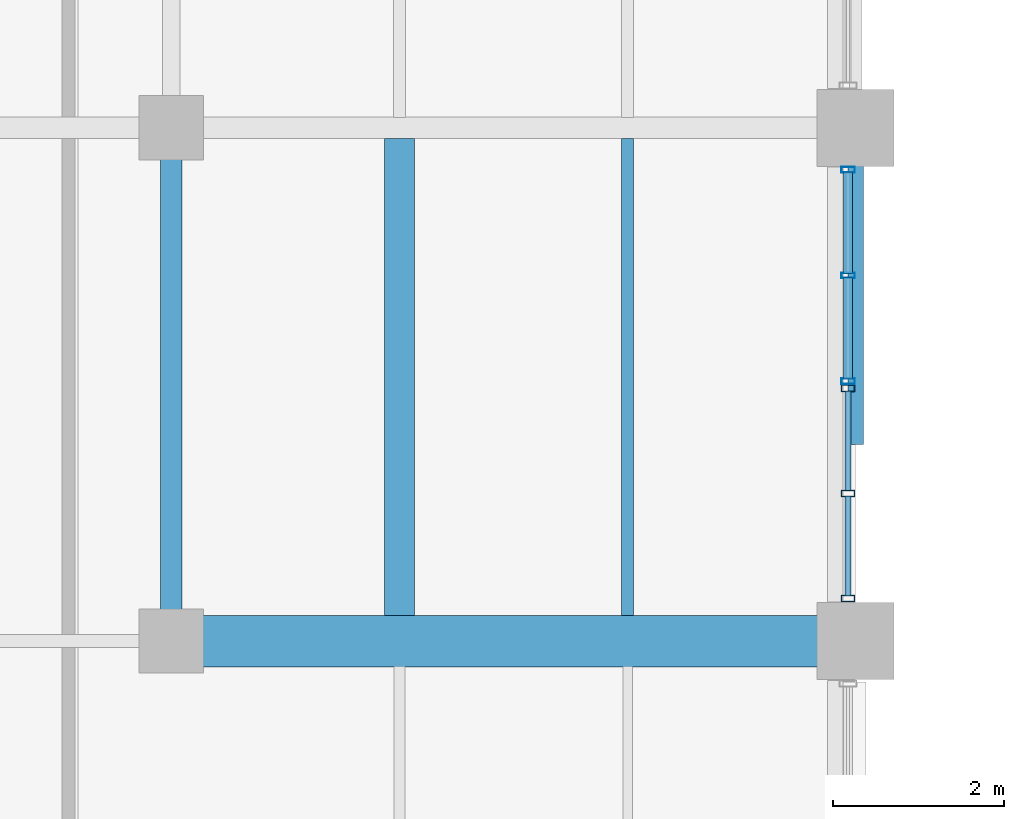
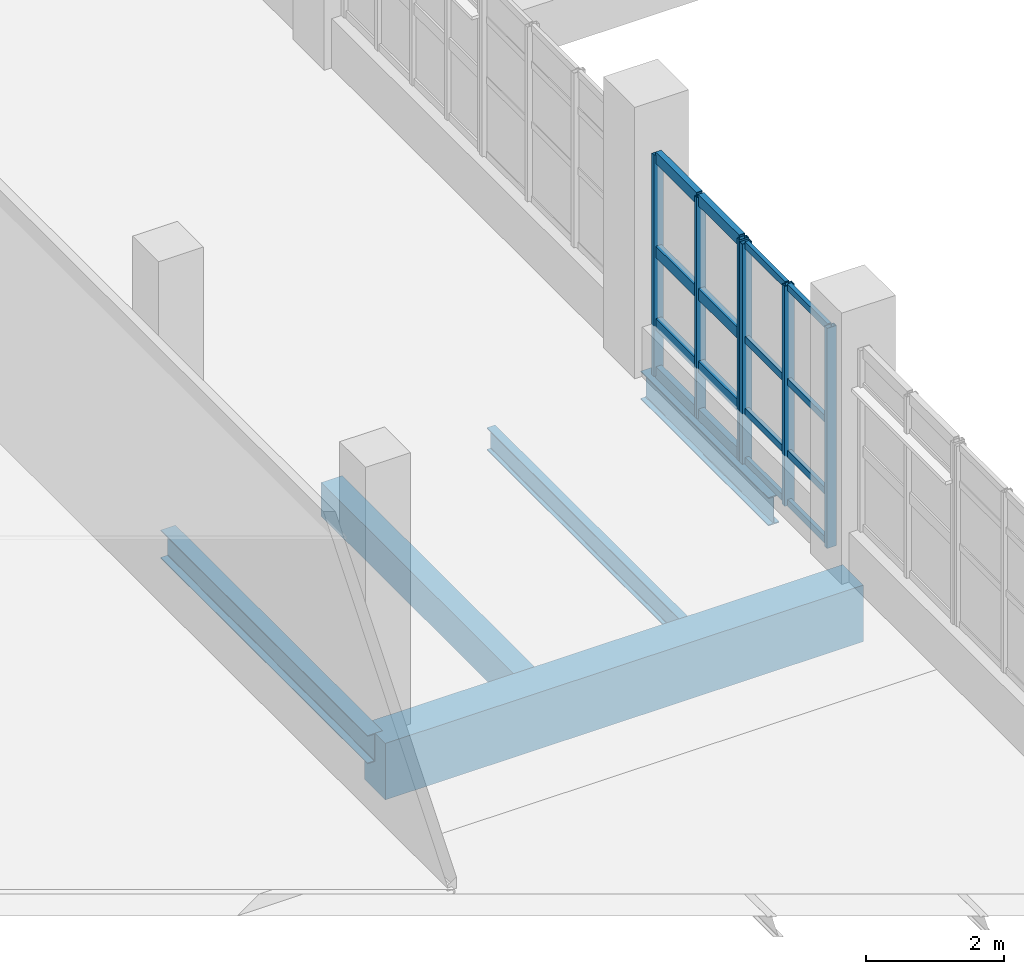
# One storey, part 23 of 102: 22 members, 5 beams, 2 elements without a shape of their own.
"""IFC4 building model written with IfcOpenShell, lengths in metres."""

from ifc_helpers import new_model, si_unit, derived_unit, direction, frame, origin, origin_2d, place, context, subcontext, project, spatial, rectangle, hollow_rectangle, i_section, extrude, material, layer, layer_set, material_profile, profile_set, type_object, element, aggregate, save


model = new_model("IFC4")

# Units and contexts
model_context = context("Model", 3, precision=1e-05, world=origin(), true_north=direction((0.0, 1.0)))
body_context = subcontext(model_context, "Body", "Model", "MODEL_VIEW")
ifc_project = project(units=[si_unit("LENGTHUNIT", "METRE"), si_unit("AREAUNIT", "SQUARE_METRE"), si_unit("VOLUMEUNIT", "CUBIC_METRE"), si_unit("PLANEANGLEUNIT", "RADIAN"), si_unit("MASSUNIT", "GRAM", prefix="KILO"), derived_unit("THERMALTRANSMITTANCEUNIT", [(si_unit("POWERUNIT", "WATT"), 1), (si_unit("LENGTHUNIT", "METRE"), -2), (si_unit("THERMODYNAMICTEMPERATUREUNIT", "KELVIN"), -1)])], contexts=[model_context])

# Site, building, storey
site_placement = place(None, origin())
site = spatial("IfcSite", under=ifc_project, at=site_placement, CompositionType="ELEMENT")
building_placement = place(site_placement, origin())
building = spatial("IfcBuilding", under=site, at=building_placement, Name="Nallur Shell Playhouse", CompositionType="ELEMENT")
storey_placement = place(building_placement, frame((0.0, 0.0, 15.0)))
storey = spatial("IfcBuildingStorey", under=building, at=storey_placement, Name="L04", CompositionType="ELEMENT", Elevation=15.0)

# Beams
ifc_material_1 = material(Name="Steel E250", Category="steel")
ifc_material_profile_1 = material_profile(ifc_material_1, i_section(OverallWidth=0.139892578125, OverallDepth=0.39990234375, WebThickness=0.0087890625, FlangeThickness=0.01611328125, FilletRadius=0.013916015625, at=origin_2d()), Name="ISMB 400")
ifc_profile_set_1 = profile_set([ifc_material_profile_1], Name="Steel E250")
beam_type_1 = type_object("IfcBeamType", Name="BM-JST-ISMB400", PredefinedType="JOIST", material=ifc_profile_set_1)
beam_1_placement = place(storey_placement, frame((37.333251953125, 50.298095703125, -0.4599609375), z_axis=(0.0, 1.0, 0.0), x_axis=(-1.0, 0.0, 0.0)))
element("IfcBeam", 1, at=beam_1_placement, inside=storey, type_object=beam_type_1, Name="L04 secondary joist 4-F-895", PredefinedType="JOIST", context=body_context, shape_type="SweptSolid", body=[
    extrude(i_section(OverallWidth=0.139892578125, OverallDepth=0.39990234375, WebThickness=0.0087890625, FlangeThickness=0.01611328125, FilletRadius=0.013916015625, at=origin_2d()), origin(), (0.0, 0.0, 1.0), 5.578857421875),
])
ifc_material_2 = material(Name="Concrete M30", Category="concrete")
ifc_material_profile_2 = material_profile(ifc_material_2, rectangle(XDim=0.35009765625, YDim=0.60009765625, at=origin_2d()), Name="RC 350x600")
ifc_profile_set_2 = profile_set([ifc_material_profile_2], Name="Concrete M30")
beam_type_2 = type_object("IfcBeamType", Name="BM-RC-350x600", PredefinedType="JOIST", material=ifc_profile_set_2)
beam_2_placement = place(storey_placement, frame((34.666748046875, 50.298095703125, -0.56005859375), z_axis=(0.0, 1.0, 0.0), x_axis=(-1.0, 0.0, 0.0)))
element("IfcBeam", 2, at=beam_2_placement, inside=storey, type_object=beam_type_2, Name="L04 secondary joist 4-F-894", PredefinedType="JOIST", context=body_context, shape_type="SweptSolid", body=[
    extrude(rectangle(XDim=0.35009765625, YDim=0.60009765625, at=origin_2d()), origin(), (0.0, 0.0, 1.0), 5.578857421875),
])
ifc_material_3 = material(Name="Concrete M40", Category="concrete")
ifc_material_profile_3 = material_profile(ifc_material_3, rectangle(XDim=0.60009765625, YDim=1.0, at=origin_2d()), Name="RC 600x1000")
ifc_profile_set_3 = profile_set([ifc_material_profile_3], Name="Concrete M40")
beam_type_3 = type_object("IfcBeamType", Name="BM-RC-600x1000", PredefinedType="BEAM", material=ifc_profile_set_3)
beam_3_placement = place(storey_placement, frame((32.0, 50.0, -0.760009765625), z_axis=(1.0, 0.0, 0.0), x_axis=(0.0, 1.0, 0.0)))
element("IfcBeam", 3, at=beam_3_placement, inside=storey, type_object=beam_type_3, Name="L04 girder X-F-780", PredefinedType="BEAM", context=body_context, shape_type="SweptSolid", body=[
    extrude(rectangle(XDim=0.60009765625, YDim=1.0, at=origin_2d()), origin(), (0.0, 0.0, 1.0), 8.0),
])
ifc_material_4 = material(Name="Steel E350", Category="steel")
ifc_material_profile_4 = material_profile(ifc_material_4, i_section(OverallWidth=0.179931640625, OverallDepth=0.5, WebThickness=0.01025390625, FlangeThickness=0.01708984375, FilletRadius=0.01708984375, at=origin_2d()), Name="ISMB 500")
ifc_profile_set_4 = profile_set([ifc_material_profile_4], Name="Steel E350")
beam_type_4 = type_object("IfcBeamType", Name="BM-ST-ISMB500", PredefinedType="BEAM", material=ifc_profile_set_4)
beam_4_placement = place(storey_placement, frame((40.0, 52.300048828125, -0.510009765625), z_axis=(0.0, 1.0, 0.0), x_axis=(-1.0, 0.0, 0.0)))
element("IfcBeam", 4, at=beam_4_placement, inside=storey, type_object=beam_type_4, Name="L04 girder Y-5-826", PredefinedType="BEAM", context=body_context, shape_type="SweptSolid", body=[
    extrude(i_section(OverallWidth=0.179931640625, OverallDepth=0.5, WebThickness=0.01025390625, FlangeThickness=0.01708984375, FilletRadius=0.01708984375, at=origin_2d()), origin(), (0.0, 0.0, 1.0), 3.699951171875),
])
ifc_material_profile_5 = material_profile(ifc_material_4, i_section(OverallWidth=0.25, OverallDepth=0.5, WebThickness=0.010009765625, FlangeThickness=0.0146484375, FilletRadius=0.014892578125, at=origin_2d()), Name="ISWB 500")
ifc_profile_set_5 = profile_set([ifc_material_profile_5], Name="Steel E350")
beam_type_5 = type_object("IfcBeamType", Name="BM-ST-ISWB500", PredefinedType="BEAM", material=ifc_profile_set_5)
beam_5_placement = place(storey_placement, frame((32.0, 50.0, -0.510009765625), z_axis=(0.0, 1.0, 0.0), x_axis=(-1.0, 0.0, 0.0)))
element("IfcBeam", 5, at=beam_5_placement, inside=storey, type_object=beam_type_5, Name="L04 girder Y-4-819", PredefinedType="BEAM", context=body_context, shape_type="SweptSolid", body=[
    extrude(i_section(OverallWidth=0.25, OverallDepth=0.5, WebThickness=0.010009765625, FlangeThickness=0.0146484375, FilletRadius=0.014892578125, at=origin_2d()), origin(), (0.0, 0.0, 1.0), 6.0),
])

# Curtain wall, members
ifc_material_5 = material(Name="Anodised Aluminium Double-Glazed Facade System", Category="aluminium")
ifc_layer_1 = layer(ifc_material_5, 0.172119140625)
ifc_layer_set_1 = layer_set([ifc_layer_1], Name="Anodised Aluminium Double-Glazed Facade System")
curtain_wall_type_1 = type_object("IfcCurtainWallType", Name="CW-UNIT-15", PredefinedType="NOTDEFINED", material=ifc_layer_set_1)
curtain_wall_1_placement = place(storey_placement, origin())
curtain_wall_1 = element("IfcCurtainWall", 6, at=curtain_wall_1_placement, inside=storey, type_object=curtain_wall_type_1, Name="Unitised curtain wall CW-143 (L04)", PredefinedType="NOTDEFINED")
ifc_material_6 = material(Name="Aluminium Alloy 6063-T6 Mullion", Category="aluminium")
ifc_material_profile_6 = material_profile(ifc_material_6, hollow_rectangle(XDim=0.080078125, YDim=0.159912109375, WallThickness=0.006103515625, at=origin_2d()), Name="RHS 160x80x6")
ifc_profile_set_6 = profile_set([ifc_material_profile_6], Name="Aluminium Alloy 6063-T6 Mullion")
member_type_1 = type_object("IfcMemberType", Name="MB-CW-MUL150", PredefinedType="MULLION", material=ifc_profile_set_6)
member_1_placement = place(storey_placement, frame((39.909912109375, 52.955078125, -0.014892578125), z_axis=(0.0, 0.0, 1.0), x_axis=(0.0, -1.0, 0.0)))
member_1 = element("IfcMember", 7, at=member_1_placement, type_object=member_type_1, Name="CW-15 mullion 1", PredefinedType="MULLION", context=body_context, shape_type="SweptSolid", body=[
    extrude(hollow_rectangle(XDim=0.080078125, YDim=0.159912109375, WallThickness=0.006103515625, at=origin_2d()), origin(), (0.0, 0.0, 1.0), 3.893798828125),
])
member_2_placement = place(storey_placement, frame((39.909912109375, 51.7265625, -0.014892578125), z_axis=(0.0, 0.0, 1.0), x_axis=(0.0, -1.0, 0.0)))
member_2 = element("IfcMember", 8, at=member_2_placement, type_object=member_type_1, Name="CW-15 mullion 2", PredefinedType="MULLION", context=body_context, shape_type="SweptSolid", body=[
    extrude(hollow_rectangle(XDim=0.080078125, YDim=0.159912109375, WallThickness=0.006103515625, at=origin_2d()), origin(), (0.0, 0.0, 1.0), 3.893798828125),
])
member_3_placement = place(storey_placement, frame((39.909912109375, 50.498046875, -0.014892578125), z_axis=(0.0, 0.0, 1.0), x_axis=(0.0, -1.0, 0.0)))
member_3 = element("IfcMember", 9, at=member_3_placement, type_object=member_type_1, Name="CW-15 mullion 3", PredefinedType="MULLION", context=body_context, shape_type="SweptSolid", body=[
    extrude(hollow_rectangle(XDim=0.080078125, YDim=0.159912109375, WallThickness=0.006103515625, at=origin_2d()), origin(), (0.0, 0.0, 1.0), 3.893798828125),
])

ifc_layer_2 = layer(ifc_material_5, 0.16796875)
ifc_layer_set_2 = layer_set([ifc_layer_2], Name="Anodised Aluminium Double-Glazed Facade System")
curtain_wall_type_2 = type_object("IfcCurtainWallType", Name="CW-UNIT-14", PredefinedType="NOTDEFINED", material=ifc_layer_set_2)
curtain_wall_2_placement = place(storey_placement, origin())
curtain_wall_2 = element("IfcCurtainWall", 10, at=curtain_wall_2_placement, inside=storey, type_object=curtain_wall_type_2, Name="Unitised curtain wall CW-142 (L04)", PredefinedType="NOTDEFINED")
ifc_material_profile_7 = material_profile(ifc_material_6, hollow_rectangle(XDim=0.06494140625, YDim=0.159912109375, WallThickness=0.00390625, at=origin_2d()), Name="ALU 65x160x4")
ifc_profile_set_7 = profile_set([ifc_material_profile_7], Name="Aluminium Alloy 6063-T6 Mullion")
member_type_2 = type_object("IfcMemberType", Name="MB-CW-MUL160", PredefinedType="MULLION", material=ifc_profile_set_7)
member_4_placement = place(storey_placement, frame((39.909912109375, 55.509521484375, -0.014892578125), z_axis=(0.0, 0.0, 1.0), x_axis=(0.0, -1.0, 0.0)))
member_4 = element("IfcMember", 11, at=member_4_placement, type_object=member_type_2, Name="CW-14 mullion 1", PredefinedType="MULLION", context=body_context, shape_type="SweptSolid", body=[
    extrude(hollow_rectangle(XDim=0.06494140625, YDim=0.159912109375, WallThickness=0.00390625, at=origin_2d()), origin(), (0.0, 0.0, 1.0), 3.913818359375),
])
member_5_placement = place(storey_placement, frame((39.909912109375, 54.2734375, -0.014892578125), z_axis=(0.0, 0.0, 1.0), x_axis=(0.0, -1.0, 0.0)))
member_5 = element("IfcMember", 12, at=member_5_placement, type_object=member_type_2, Name="CW-14 mullion 2", PredefinedType="MULLION", context=body_context, shape_type="SweptSolid", body=[
    extrude(hollow_rectangle(XDim=0.06494140625, YDim=0.159912109375, WallThickness=0.00390625, at=origin_2d()), origin(), (0.0, 0.0, 1.0), 3.913818359375),
])
member_6_placement = place(storey_placement, frame((39.909912109375, 53.03759765625, -0.014892578125), z_axis=(0.0, 0.0, 1.0), x_axis=(0.0, -1.0, 0.0)))
member_6 = element("IfcMember", 13, at=member_6_placement, type_object=member_type_2, Name="CW-14 mullion 3", PredefinedType="MULLION", context=body_context, shape_type="SweptSolid", body=[
    extrude(hollow_rectangle(XDim=0.06494140625, YDim=0.159912109375, WallThickness=0.00390625, at=origin_2d()), origin(), (0.0, 0.0, 1.0), 3.913818359375),
])

# Member
ifc_material_7 = material(Name="Aluminium Alloy 6063-T6 Transom", Category="aluminium")
ifc_material_profile_8 = material_profile(ifc_material_7, hollow_rectangle(XDim=0.06494140625, YDim=0.1201171875, WallThickness=0.00390625, at=origin_2d()), Name="ALU 65x120x4")
ifc_profile_set_8 = profile_set([ifc_material_profile_8], Name="Aluminium Alloy 6063-T6 Transom")
member_type_3 = type_object("IfcMemberType", Name="MB-CW-TRN120", PredefinedType="USERDEFINED", material=ifc_profile_set_8)
member_7_placement = place(storey_placement, frame((39.909912109375, 52.923095703125, 0.032470703125), z_axis=(0.0, -1.0, 0.0), x_axis=(1.0, 0.0, 0.0)))
member_7 = element("IfcMember", 14, at=member_7_placement, type_object=member_type_3, Name="CW-15 transom 1.1", ObjectType="TRANSOM", PredefinedType="USERDEFINED", context=body_context, shape_type="SweptSolid", body=[
    extrude(hollow_rectangle(XDim=0.06494140625, YDim=0.1201171875, WallThickness=0.00390625, at=origin_2d()), origin(), (0.0, 0.0, 1.0), 1.16455078125),
])

member_8_placement = place(storey_placement, frame((39.909912109375, 52.923095703125, 0.89990234375), z_axis=(0.0, -1.0, 0.0), x_axis=(1.0, 0.0, 0.0)))
member_8 = element("IfcMember", 15, at=member_8_placement, type_object=member_type_3, Name="CW-15 transom 1.2", ObjectType="TRANSOM", PredefinedType="USERDEFINED", context=body_context, shape_type="SweptSolid", body=[
    extrude(hollow_rectangle(XDim=0.06494140625, YDim=0.1201171875, WallThickness=0.00390625, at=origin_2d()), origin(), (0.0, 0.0, 1.0), 1.16455078125),
])

member_9_placement = place(storey_placement, frame((39.909912109375, 52.923095703125, 2.169921875), z_axis=(0.0, -1.0, 0.0), x_axis=(1.0, 0.0, 0.0)))
member_9 = element("IfcMember", 16, at=member_9_placement, type_object=member_type_3, Name="CW-15 transom 1.3", ObjectType="TRANSOM", PredefinedType="USERDEFINED", context=body_context, shape_type="SweptSolid", body=[
    extrude(hollow_rectangle(XDim=0.06494140625, YDim=0.1201171875, WallThickness=0.00390625, at=origin_2d()), origin(), (0.0, 0.0, 1.0), 1.16455078125),
])

member_10_placement = place(storey_placement, frame((39.909912109375, 52.923095703125, 3.842529296875), z_axis=(0.0, -1.0, 0.0), x_axis=(1.0, 0.0, 0.0)))
member_10 = element("IfcMember", 17, at=member_10_placement, type_object=member_type_3, Name="CW-15 transom 1.4", ObjectType="TRANSOM", PredefinedType="USERDEFINED", context=body_context, shape_type="SweptSolid", body=[
    extrude(hollow_rectangle(XDim=0.06494140625, YDim=0.1201171875, WallThickness=0.00390625, at=origin_2d()), origin(), (0.0, 0.0, 1.0), 1.16455078125),
])

member_11_placement = place(storey_placement, frame((39.909912109375, 51.694580078125, 0.032470703125), z_axis=(0.0, -1.0, 0.0), x_axis=(1.0, 0.0, 0.0)))
member_11 = element("IfcMember", 18, at=member_11_placement, type_object=member_type_3, Name="CW-15 transom 2.1", ObjectType="TRANSOM", PredefinedType="USERDEFINED", context=body_context, shape_type="SweptSolid", body=[
    extrude(hollow_rectangle(XDim=0.06494140625, YDim=0.1201171875, WallThickness=0.00390625, at=origin_2d()), origin(), (0.0, 0.0, 1.0), 1.16455078125),
])

member_12_placement = place(storey_placement, frame((39.909912109375, 51.694580078125, 0.89990234375), z_axis=(0.0, -1.0, 0.0), x_axis=(1.0, 0.0, 0.0)))
member_12 = element("IfcMember", 19, at=member_12_placement, type_object=member_type_3, Name="CW-15 transom 2.2", ObjectType="TRANSOM", PredefinedType="USERDEFINED", context=body_context, shape_type="SweptSolid", body=[
    extrude(hollow_rectangle(XDim=0.06494140625, YDim=0.1201171875, WallThickness=0.00390625, at=origin_2d()), origin(), (0.0, 0.0, 1.0), 1.16455078125),
])

member_13_placement = place(storey_placement, frame((39.909912109375, 51.694580078125, 2.169921875), z_axis=(0.0, -1.0, 0.0), x_axis=(1.0, 0.0, 0.0)))
member_13 = element("IfcMember", 20, at=member_13_placement, type_object=member_type_3, Name="CW-15 transom 2.3", ObjectType="TRANSOM", PredefinedType="USERDEFINED", context=body_context, shape_type="SweptSolid", body=[
    extrude(hollow_rectangle(XDim=0.06494140625, YDim=0.1201171875, WallThickness=0.00390625, at=origin_2d()), origin(), (0.0, 0.0, 1.0), 1.16455078125),
])

member_14_placement = place(storey_placement, frame((39.909912109375, 51.694580078125, 3.842529296875), z_axis=(0.0, -1.0, 0.0), x_axis=(1.0, 0.0, 0.0)))
member_14 = element("IfcMember", 21, at=member_14_placement, type_object=member_type_3, Name="CW-15 transom 2.4", ObjectType="TRANSOM", PredefinedType="USERDEFINED", context=body_context, shape_type="SweptSolid", body=[
    extrude(hollow_rectangle(XDim=0.06494140625, YDim=0.1201171875, WallThickness=0.00390625, at=origin_2d()), origin(), (0.0, 0.0, 1.0), 1.16455078125),
])

aggregate(curtain_wall_1, [member_1, member_2, member_3, member_7, member_8, member_9, member_10, member_11, member_12, member_13, member_14])

ifc_material_profile_9 = material_profile(ifc_material_7, hollow_rectangle(XDim=0.10009765625, YDim=0.199951171875, WallThickness=0.008056640625, at=origin_2d()), Name="RHS 200x100x8")
ifc_profile_set_9 = profile_set([ifc_material_profile_9], Name="Aluminium Alloy 6063-T6 Transom")
member_type_4 = type_object("IfcMemberType", Name="MB-CW-TRN140", PredefinedType="USERDEFINED", material=ifc_profile_set_9)
member_15_placement = place(storey_placement, frame((39.909912109375, 55.485107421875, 0.050048828125), z_axis=(0.0, -1.0, 0.0), x_axis=(1.0, 0.0, 0.0)))
member_15 = element("IfcMember", 22, at=member_15_placement, type_object=member_type_4, Name="CW-14 transom 1.1", ObjectType="TRANSOM", PredefinedType="USERDEFINED", context=body_context, shape_type="SweptSolid", body=[
    extrude(hollow_rectangle(XDim=0.10009765625, YDim=0.199951171875, WallThickness=0.008056640625, at=origin_2d()), origin(), (0.0, 0.0, 1.0), 1.18701171875),
])

member_16_placement = place(storey_placement, frame((39.909912109375, 55.485107421875, 0.89990234375), z_axis=(0.0, -1.0, 0.0), x_axis=(1.0, 0.0, 0.0)))
member_16 = element("IfcMember", 23, at=member_16_placement, type_object=member_type_4, Name="CW-14 transom 1.2", ObjectType="TRANSOM", PredefinedType="USERDEFINED", context=body_context, shape_type="SweptSolid", body=[
    extrude(hollow_rectangle(XDim=0.10009765625, YDim=0.199951171875, WallThickness=0.008056640625, at=origin_2d()), origin(), (0.0, 0.0, 1.0), 1.18701171875),
])

member_17_placement = place(storey_placement, frame((39.909912109375, 55.485107421875, 2.180908203125), z_axis=(0.0, -1.0, 0.0), x_axis=(1.0, 0.0, 0.0)))
member_17 = element("IfcMember", 24, at=member_17_placement, type_object=member_type_4, Name="CW-14 transom 1.3", ObjectType="TRANSOM", PredefinedType="USERDEFINED", context=body_context, shape_type="SweptSolid", body=[
    extrude(hollow_rectangle(XDim=0.10009765625, YDim=0.199951171875, WallThickness=0.008056640625, at=origin_2d()), origin(), (0.0, 0.0, 1.0), 1.18701171875),
])

member_18_placement = place(storey_placement, frame((39.909912109375, 55.485107421875, 3.844970703125), z_axis=(0.0, -1.0, 0.0), x_axis=(1.0, 0.0, 0.0)))
member_18 = element("IfcMember", 25, at=member_18_placement, type_object=member_type_4, Name="CW-14 transom 1.4", ObjectType="TRANSOM", PredefinedType="USERDEFINED", context=body_context, shape_type="SweptSolid", body=[
    extrude(hollow_rectangle(XDim=0.10009765625, YDim=0.199951171875, WallThickness=0.008056640625, at=origin_2d()), origin(), (0.0, 0.0, 1.0), 1.18701171875),
])

member_19_placement = place(storey_placement, frame((39.909912109375, 54.2490234375, 0.050048828125), z_axis=(0.0, -1.0, 0.0), x_axis=(1.0, 0.0, 0.0)))
member_19 = element("IfcMember", 26, at=member_19_placement, type_object=member_type_4, Name="CW-14 transom 2.1", ObjectType="TRANSOM", PredefinedType="USERDEFINED", context=body_context, shape_type="SweptSolid", body=[
    extrude(hollow_rectangle(XDim=0.10009765625, YDim=0.199951171875, WallThickness=0.008056640625, at=origin_2d()), origin(), (0.0, 0.0, 1.0), 1.18701171875),
])

member_20_placement = place(storey_placement, frame((39.909912109375, 54.2490234375, 0.89990234375), z_axis=(0.0, -1.0, 0.0), x_axis=(1.0, 0.0, 0.0)))
member_20 = element("IfcMember", 27, at=member_20_placement, type_object=member_type_4, Name="CW-14 transom 2.2", ObjectType="TRANSOM", PredefinedType="USERDEFINED", context=body_context, shape_type="SweptSolid", body=[
    extrude(hollow_rectangle(XDim=0.10009765625, YDim=0.199951171875, WallThickness=0.008056640625, at=origin_2d()), origin(), (0.0, 0.0, 1.0), 1.18701171875),
])

member_21_placement = place(storey_placement, frame((39.909912109375, 54.2490234375, 2.180908203125), z_axis=(0.0, -1.0, 0.0), x_axis=(1.0, 0.0, 0.0)))
member_21 = element("IfcMember", 28, at=member_21_placement, type_object=member_type_4, Name="CW-14 transom 2.3", ObjectType="TRANSOM", PredefinedType="USERDEFINED", context=body_context, shape_type="SweptSolid", body=[
    extrude(hollow_rectangle(XDim=0.10009765625, YDim=0.199951171875, WallThickness=0.008056640625, at=origin_2d()), origin(), (0.0, 0.0, 1.0), 1.18701171875),
])

member_22_placement = place(storey_placement, frame((39.909912109375, 54.2490234375, 3.844970703125), z_axis=(0.0, -1.0, 0.0), x_axis=(1.0, 0.0, 0.0)))
member_22 = element("IfcMember", 29, at=member_22_placement, type_object=member_type_4, Name="CW-14 transom 2.4", ObjectType="TRANSOM", PredefinedType="USERDEFINED", context=body_context, shape_type="SweptSolid", body=[
    extrude(hollow_rectangle(XDim=0.10009765625, YDim=0.199951171875, WallThickness=0.008056640625, at=origin_2d()), origin(), (0.0, 0.0, 1.0), 1.18701171875),
])

aggregate(curtain_wall_2, [member_4, member_5, member_6, member_15, member_16, member_17, member_18, member_19, member_20, member_21, member_22])

save(model, "model.ifc")
